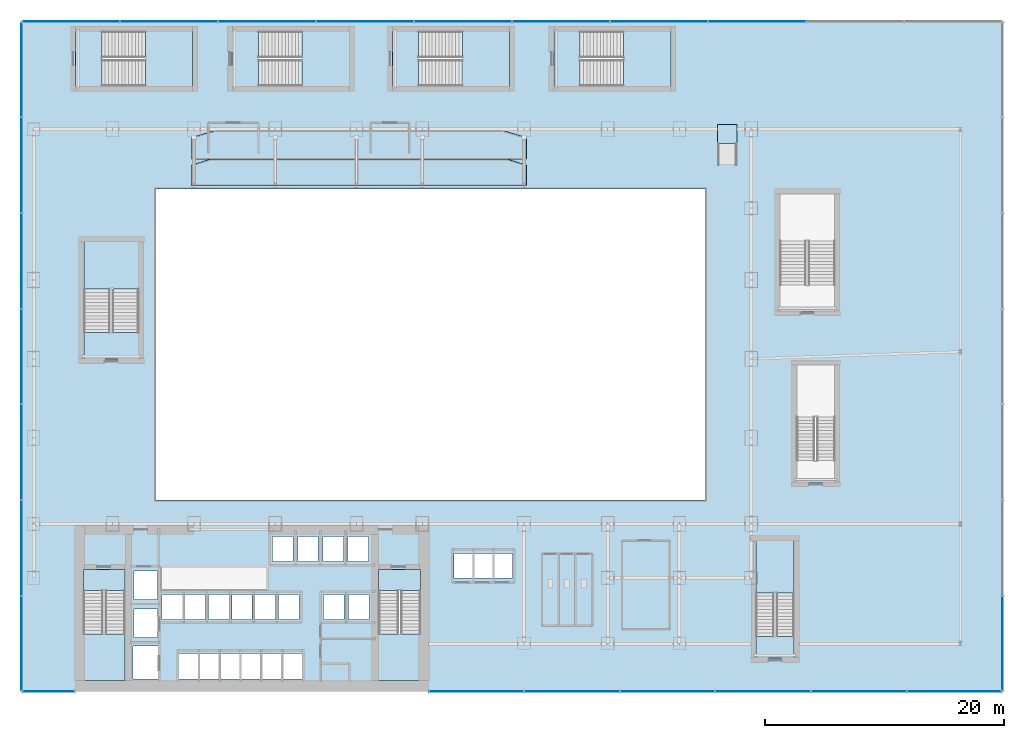
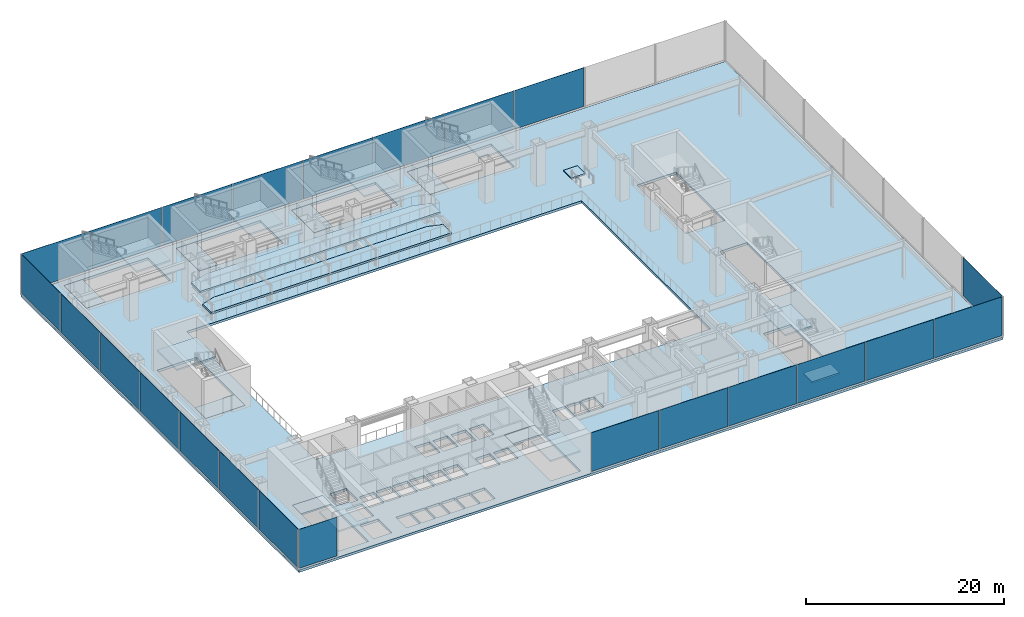
# One storey, part 27 of 39: 23 plates, 20 slabs, 14 elements without a shape of their own.
"""IFC4 building model written with IfcOpenShell, lengths in metres."""

import ifcopenshell
import ifcopenshell.guid

model = None  # the IFC model being written
_history = None  # IfcOwnerHistory: only IFC2X3 demands one
_inside = {}  # id of a spatial element -> (the spatial element, [elements in it])
_under = {}  # id of a project, library or spatial element -> (it, [spatial elements below it])
_declared = {}  # id of a project -> (the project, [libraries it declares])
_typed = {}  # id of a type object -> (the type object, [elements of that type])
_made_of = {}  # id of a material, layer set ... -> (it, [elements and type objects made of it])


def new_model(schema):
    """Start an empty IFC model of exactly this schema.

    Asked for "IFC4X3", IfcOpenShell would pick the latest addendum, in which some entities
    have other attributes; the version numbers below select the first issue.
    IFC2X3 requires an IfcOwnerHistory on every rooted entity: one is made here for all.
    """
    global model, _history
    if schema == "IFC4X3":
        model = ifcopenshell.file(schema_version=(4, 3, 0, 0))
    else:
        model = ifcopenshell.file(schema=schema)
    _inside.clear()
    _under.clear()
    _declared.clear()
    _typed.clear()
    _made_of.clear()
    _history = None
    if model.schema == "IFC2X3":
        org = make("IfcOrganization", Name="unknown")
        user = make(
            "IfcPersonAndOrganization",
            ThePerson=make("IfcPerson", FamilyName="unknown"),
            TheOrganization=org,
        )
        app = make(
            "IfcApplication",
            ApplicationDeveloper=org,
            Version="unknown",
            ApplicationFullName="unknown",
            ApplicationIdentifier="unknown",
        )
        _history = make(
            "IfcOwnerHistory",
            OwningUser=user,
            OwningApplication=app,
            ChangeAction="ADDED",
            CreationDate=0,
        )
    return model


def make(cls, **values):
    """One entity of the class cls with the attributes given. An attribute that is None is left unset."""
    return model.create_entity(
        cls, **{name: value for name, value in values.items() if value is not None}
    )


def rooted(cls, **values):
    """An entity with a GlobalId (a new one), such as an element, a storey or a relation."""
    return make(cls, GlobalId=ifcopenshell.guid.new(), OwnerHistory=_history, **values)


def si_unit(unit_type, name, prefix=None):
    """IfcSIUnit, for example si_unit("LENGTHUNIT", "METRE", prefix="MILLI")."""
    return make("IfcSIUnit", UnitType=unit_type, Prefix=prefix, Name=name)


def derived_unit(unit_type, elements):
    """IfcDerivedUnit: a product of units, each with its exponent."""
    return make(
        "IfcDerivedUnit",
        Elements=[
            make("IfcDerivedUnitElement", Unit=unit, Exponent=power)
            for unit, power in elements
        ],
        UnitType=unit_type,
    )


def assignment(units):
    """IfcUnitAssignment: the units of a project."""
    return None if units is None else make("IfcUnitAssignment", Units=units)


def point(xyz):
    """IfcCartesianPoint."""
    return None if xyz is None else make("IfcCartesianPoint", Coordinates=xyz)


def direction(xyz):
    """IfcDirection."""
    return None if xyz is None else make("IfcDirection", DirectionRatios=xyz)


def frame(location, z_axis=None, x_axis=None):
    """IfcAxis2Placement3D, a coordinate frame: its origin and axes. An axis left out is left unset."""
    return make(
        "IfcAxis2Placement3D",
        Location=point(location),
        Axis=direction(z_axis),
        RefDirection=direction(x_axis),
    )


def frame_2d(location, x_axis=None):
    """IfcAxis2Placement2D, a coordinate frame in the plane: its origin and x axis."""
    return make(
        "IfcAxis2Placement2D", Location=point(location), RefDirection=direction(x_axis)
    )


def origin():
    """The frame at (0, 0, 0) with its axes left unset."""
    return frame((0.0, 0.0, 0.0))


def origin_2d():
    """The frame at (0, 0) in the plane with its x axis left unset."""
    return frame_2d((0.0, 0.0))


def place(relative_to, where):
    """IfcLocalPlacement: puts the frame where relative to a parent placement (None: the world)."""
    return make(
        "IfcLocalPlacement", PlacementRelTo=relative_to, RelativePlacement=where
    )


def context(
    kind, dimensions, precision=None, world=None, true_north=None, identifier=None
):
    """IfcGeometricRepresentationContext, for example the 3D "Model" context."""
    return make(
        "IfcGeometricRepresentationContext",
        ContextIdentifier=identifier,
        ContextType=kind,
        CoordinateSpaceDimension=dimensions,
        Precision=precision,
        WorldCoordinateSystem=world,
        TrueNorth=true_north,
    )


def subcontext(parent, identifier, kind, view, scale=None):
    """IfcGeometricRepresentationSubContext, for example "Body" below "Model"."""
    return make(
        "IfcGeometricRepresentationSubContext",
        ContextIdentifier=identifier,
        ContextType=kind,
        ParentContext=parent,
        TargetScale=scale,
        TargetView=view,
    )


def project(units=None, contexts=None):
    """IfcProject with its units and contexts."""
    return rooted(
        "IfcProject",
        Name="project",
        RepresentationContexts=contexts,
        UnitsInContext=assignment(units),
    )


def spatial(cls, under=None, at=None, **own):
    """A site, building, storey or space (cls), placed at a placement, below another one or the project."""
    s = rooted(cls, ObjectPlacement=at, **own)
    if under is not None:
        _under.setdefault(under.id(), (under, []))[1].append(s)
    return s


def polyline(points):
    """IfcPolyline through the points."""
    return make("IfcPolyline", Points=[point(p) for p in points])


def profile(cls, at=None, kind="AREA", **sizes):
    """A parametric profile (cls). Its sizes go by their IFC names, for example OverallWidth=200.0."""
    return make(cls, ProfileType=kind, Position=at, **sizes)


def rectangle(**sizes):
    """IfcRectangleProfileDef."""
    return profile("IfcRectangleProfileDef", **sizes)


def outline(outer, holes=None, kind="AREA"):
    """IfcArbitraryClosedProfileDef: a profile drawn as a closed curve; with holes, ...WithVoids."""
    if holes is None:
        return make("IfcArbitraryClosedProfileDef", ProfileType=kind, OuterCurve=outer)
    return make(
        "IfcArbitraryProfileDefWithVoids",
        ProfileType=kind,
        OuterCurve=outer,
        InnerCurves=holes,
    )


def extrude(swept, where, along, depth):
    """IfcExtrudedAreaSolid: the profile swept, set in the frame where, extruded along a direction by depth."""
    return make(
        "IfcExtrudedAreaSolid",
        SweptArea=swept,
        Position=where,
        ExtrudedDirection=direction(along),
        Depth=depth,
    )


def shape(context_of_items, identifier, shape_type, items):
    """IfcShapeRepresentation: the items that make up one representation, for example the "Body"."""
    return make(
        "IfcShapeRepresentation",
        ContextOfItems=context_of_items,
        RepresentationIdentifier=identifier,
        RepresentationType=shape_type,
        Items=items,
    )


def source(mapping_origin, context_of_items, identifier, shape_type, items):
    """IfcRepresentationMap: a shape defined once, which mapped items show again and again."""
    return make(
        "IfcRepresentationMap",
        MappingOrigin=mapping_origin,
        MappedRepresentation=shape(context_of_items, identifier, shape_type, items),
    )


def transform(
    local_origin,
    x_axis=None,
    y_axis=None,
    z_axis=None,
    scale=None,
    scale2=None,
    scale3=None,
    uniform=True,
):
    """IfcCartesianTransformationOperator3D, or its non-uniform kind. x_axis, y_axis, z_axis: its Axis1, 2, 3."""
    if uniform:
        return make(
            "IfcCartesianTransformationOperator3D",
            Axis1=direction(x_axis),
            Axis2=direction(y_axis),
            LocalOrigin=point(local_origin),
            Scale=scale,
            Axis3=direction(z_axis),
        )
    return make(
        "IfcCartesianTransformationOperator3DnonUniform",
        Axis1=direction(x_axis),
        Axis2=direction(y_axis),
        LocalOrigin=point(local_origin),
        Scale=scale,
        Axis3=direction(z_axis),
        Scale2=scale2,
        Scale3=scale3,
    )


def mapped(mapping_source, mapping_target):
    """IfcMappedItem: shows the shape of a source again, moved by a transform."""
    return make(
        "IfcMappedItem", MappingSource=mapping_source, MappingTarget=mapping_target
    )


def material(Name=None, Category=None):
    """IfcMaterial."""
    return make("IfcMaterial", Name=Name, Category=Category)


def layer(
    of_material, thickness, ventilated=None, Name=None, Category=None, Priority=None
):
    """IfcMaterialLayer: one layer of a wall or slab, of a material (None: an air gap)."""
    return make(
        "IfcMaterialLayer",
        Material=of_material,
        LayerThickness=thickness,
        IsVentilated=ventilated,
        Name=Name,
        Category=Category,
        Priority=Priority,
    )


def layer_set(layers, Name=None):
    """IfcMaterialLayerSet."""
    return make("IfcMaterialLayerSet", MaterialLayers=layers, LayerSetName=Name)


def made_of(thing, what):
    """Note that an element or type object is made of a material, layer set ...; save() writes the relation."""
    if what is not None:
        _made_of.setdefault(what.id(), (what, []))[1].append(thing)
    return thing


def type_object(cls, material=None, **own):
    """A type object (cls), such as IfcWallType, which elements share."""
    return made_of(rooted(cls, **own), material)


def element(
    cls,
    number,
    at=None,
    inside=None,
    cuts=None,
    type_object=None,
    material=None,
    context=None,
    identifier="Body",
    shape_type=None,
    held_by="IfcProductDefinitionShape",
    body=None,
    shapes=None,
    **own,
):
    """One element of the class cls, such as IfcWall. Its Tag is "e" and its number.

    at: its placement. inside: the storey or other place that contains it. cuts: it is an
    opening in that element (IfcRelVoidsElement). A single representation is given by context,
    identifier, shape_type and body (its items); several are given by shapes. held_by: the class
    of the entity that holds the representations. save() writes the other relations.
    """
    e = rooted(cls, Tag="e%d" % number, ObjectPlacement=at, **own)
    if body is not None:
        shapes = [shape(context, identifier, shape_type, body)]
    if shapes is not None:
        e.Representation = make(held_by, Representations=shapes)
    if inside is not None:
        _inside.setdefault(inside.id(), (inside, []))[1].append(e)
    if cuts is not None:
        rooted(
            "IfcRelVoidsElement", RelatingBuildingElement=cuts, RelatedOpeningElement=e
        )
    if type_object is not None:
        _typed.setdefault(type_object.id(), (type_object, []))[1].append(e)
    return made_of(e, material)


def aggregate(whole, parts):
    """IfcRelAggregates: a whole, such as a stair, and the parts it consists of."""
    return rooted("IfcRelAggregates", RelatingObject=whole, RelatedObjects=parts)


def save(model, path):
    """Write the relations noted so far, then the file.

    IfcRelAggregates (storeys below a building ...), IfcRelContainedInSpatialStructure (elements
    in a storey), IfcRelDefinesByType, IfcRelAssociatesMaterial and IfcRelDeclares: one each for
    every whole, place, type object, material and project.
    """
    for whole, parts in _under.values():
        aggregate(whole, parts)
    for where, things in _inside.values():
        rooted(
            "IfcRelContainedInSpatialStructure",
            RelatedElements=things,
            RelatingStructure=where,
        )
    for kind, things in _typed.values():
        rooted("IfcRelDefinesByType", RelatedObjects=things, RelatingType=kind)
    for what, things in _made_of.values():
        rooted("IfcRelAssociatesMaterial", RelatedObjects=things, RelatingMaterial=what)
    for by, libraries in _declared.values():
        rooted("IfcRelDeclares", RelatingContext=by, RelatedDefinitions=libraries)
    model.write(path)


model = new_model("IFC4")

# Units and contexts
model_context = context("Model", 3, precision=1e-05, world=origin(), true_north=direction((0.0, 1.0)))
body_context = subcontext(model_context, "Body", "Model", "MODEL_VIEW")
ifc_project = project(units=[si_unit("LENGTHUNIT", "METRE"), si_unit("AREAUNIT", "SQUARE_METRE"), si_unit("VOLUMEUNIT", "CUBIC_METRE"), si_unit("PLANEANGLEUNIT", "RADIAN"), si_unit("MASSUNIT", "GRAM", prefix="KILO"), derived_unit("THERMALTRANSMITTANCEUNIT", [(si_unit("POWERUNIT", "WATT"), 1), (si_unit("LENGTHUNIT", "METRE"), -2), (si_unit("THERMODYNAMICTEMPERATUREUNIT", "KELVIN"), -1)])], contexts=[model_context])

# Site, building, storey
site_placement = place(None, origin())
site = spatial("IfcSite", under=ifc_project, at=site_placement, CompositionType="ELEMENT")
building_placement = place(site_placement, origin())
building = spatial("IfcBuilding", under=site, at=building_placement, Name="Skarnbrae Concourse Arena and Tower", CompositionType="ELEMENT")
storey_placement = place(building_placement, frame((0.0, 0.0, 16.0)))
storey = spatial("IfcBuildingStorey", under=building, at=storey_placement, Name="L03", CompositionType="ELEMENT", Elevation=16.0)

# Stair, slab
ifc_material_1 = material(Name="Concrete 40 MPa (C40/50)", Category="concrete")
stair_type_1 = type_object("IfcStairType", Name="STAIR-DOGLEG-1650", PredefinedType="HALF_TURN_STAIR", material=ifc_material_1)
stair_1_placement = place(storey_placement, origin())
stair_1 = element("IfcStair", 1, at=stair_1_placement, inside=storey, type_object=stair_type_1, Name="L03 Protected Exit Stair ST-1", PredefinedType="HALF_TURN_STAIR")
ifc_layer_1 = layer(ifc_material_1, 0.199951171875)
ifc_layer_set_1 = layer_set([ifc_layer_1], Name="Concrete 40 MPa (C40/50)")
slab_type_1 = type_object("IfcSlabType", Name="SLAB-LANDING-200", PredefinedType="LANDING", material=ifc_layer_set_1)
slab_1_placement = place(storey_placement, frame((0.0, 0.0, 2.300048828125)))
slab_1 = element("IfcSlab", 2, at=slab_1_placement, type_object=slab_type_1, Name="ST-1 landing 1", PredefinedType="LANDING", context=body_context, shape_type="SweptSolid", body=[
    extrude(outline(polyline([(5.14990234375, 4.81005859375), (5.14990234375, 0.89990234375), (8.64990234375, 0.89990234375), (8.64990234375, 4.81005859375), (5.14990234375, 4.81005859375)])), origin(), (0.0, 0.0, 1.0), 0.199951171875),
])
aggregate(stair_1, [slab_1])

stair_2_placement = place(storey_placement, origin())
stair_2 = element("IfcStair", 3, at=stair_2_placement, inside=storey, type_object=stair_type_1, Name="L03 Protected Exit Stair ST-2", PredefinedType="HALF_TURN_STAIR")
slab_2_placement = place(storey_placement, frame((0.0, 0.0, 2.300048828125)))
slab_2 = element("IfcSlab", 4, at=slab_2_placement, type_object=slab_type_1, Name="ST-2 landing 1", PredefinedType="LANDING", context=body_context, shape_type="SweptSolid", body=[
    extrude(outline(polyline([(29.85009765625, 4.81005859375), (29.85009765625, 0.89990234375), (33.35009765625, 0.89990234375), (33.35009765625, 4.81005859375), (29.85009765625, 4.81005859375)])), origin(), (0.0, 0.0, 1.0), 0.199951171875),
])
aggregate(stair_2, [slab_2])

# Slabs
slab_3_placement = place(storey_placement, frame((0.0, 0.0, -0.199951171875)))
element("IfcSlab", 5, at=slab_3_placement, inside=storey, type_object=slab_type_1, Name="L03 Core stair ST1 floor landing", PredefinedType="LANDING", context=body_context, shape_type="SweptSolid", body=[
    extrude(outline(polyline([(5.14990234375, 10.199951171875), (5.14990234375, 8.449951171875), (8.64990234375, 8.449951171875), (8.64990234375, 10.199951171875), (5.14990234375, 10.199951171875)])), origin(), (0.0, 0.0, 1.0), 0.199951171875),
])
slab_4_placement = place(storey_placement, frame((0.0, 0.0, -0.199951171875)))
element("IfcSlab", 6, at=slab_4_placement, inside=storey, type_object=slab_type_1, Name="L03 Core stair ST2 floor landing", PredefinedType="LANDING", context=body_context, shape_type="SweptSolid", body=[
    extrude(outline(polyline([(29.85009765625, 10.199951171875), (29.85009765625, 8.449951171875), (33.35009765625, 8.449951171875), (33.35009765625, 10.199951171875), (29.85009765625, 10.199951171875)])), origin(), (0.0, 0.0, 1.0), 0.199951171875),
])
slab_5_placement = place(storey_placement, frame((0.0, 0.0, -0.199951171875)))
element("IfcSlab", 7, at=slab_5_placement, inside=storey, type_object=slab_type_1, Name="L03 Stair ST-A1 near floor landing", PredefinedType="LANDING", context=body_context, shape_type="SweptSolid", body=[
    extrude(outline(polyline([(64.60009765625, 2.800048828125), (64.60009765625, 4.60009765625), (61.39990234375, 4.60009765625), (61.39990234375, 2.800048828125), (64.60009765625, 2.800048828125)])), origin(), (0.0, 0.0, 1.0), 0.199951171875),
])

# Stair, slab
stair_type_2 = type_object("IfcStairType", Name="STAIR-DOGLEG-1500", PredefinedType="HALF_TURN_STAIR", material=ifc_material_1)
stair_3_placement = place(storey_placement, origin())
stair_3 = element("IfcStair", 8, at=stair_3_placement, inside=storey, type_object=stair_type_2, Name="L03 Arena Exit Stair ST-A1", PredefinedType="HALF_TURN_STAIR")
slab_6_placement = place(storey_placement, frame((0.0, 0.0, 2.300048828125)))
slab_6 = element("IfcSlab", 9, at=slab_6_placement, type_object=slab_type_1, Name="ST-A1 landing 1", PredefinedType="LANDING", context=body_context, shape_type="SweptSolid", body=[
    extrude(outline(polyline([(64.60009765625, 8.239990234375), (64.60009765625, 12.60009765625), (61.39990234375, 12.60009765625), (61.39990234375, 8.239990234375), (64.60009765625, 8.239990234375)])), origin(), (0.0, 0.0, 1.0), 0.199951171875),
])
aggregate(stair_3, [slab_6])

# Slab
slab_7_placement = place(storey_placement, frame((0.0, 0.0, -0.199951171875)))
element("IfcSlab", 10, at=slab_7_placement, inside=storey, type_object=slab_type_1, Name="L03 Stair ST-A3 near floor landing", PredefinedType="LANDING", context=body_context, shape_type="SweptSolid", body=[
    extrude(outline(polyline([(9.800048828125, 27.800048828125), (9.800048828125, 30.0), (5.199951171875, 30.0), (5.199951171875, 27.800048828125), (9.800048828125, 27.800048828125)])), origin(), (0.0, 0.0, 1.0), 0.199951171875),
])

# Stair, slab
stair_type_3 = type_object("IfcStairType", Name="STAIR-DOGLEG-2200", PredefinedType="HALF_TURN_STAIR", material=ifc_material_1)
stair_4_placement = place(storey_placement, origin())
stair_4 = element("IfcStair", 11, at=stair_4_placement, inside=storey, type_object=stair_type_3, Name="L03 Arena Exit Stair ST-A3", PredefinedType="HALF_TURN_STAIR")
slab_8_placement = place(storey_placement, frame((0.0, 0.0, 2.300048828125)))
slab_8 = element("IfcSlab", 12, at=slab_8_placement, type_object=slab_type_1, Name="ST-A3 landing 1", PredefinedType="LANDING", context=body_context, shape_type="SweptSolid", body=[
    extrude(outline(polyline([(9.800048828125, 33.639892578125), (9.800048828125, 37.60009765625), (5.199951171875, 37.60009765625), (5.199951171875, 33.639892578125), (9.800048828125, 33.639892578125)])), origin(), (0.0, 0.0, 1.0), 0.199951171875),
])
aggregate(stair_4, [slab_8])

# Slab
slab_9_placement = place(storey_placement, frame((0.0, 0.0, -0.199951171875)))
element("IfcSlab", 13, at=slab_9_placement, inside=storey, type_object=slab_type_1, Name="L03 Stair ST-A5 near floor landing", PredefinedType="LANDING", context=body_context, shape_type="SweptSolid", body=[
    extrude(outline(polyline([(4.5, 50.60009765625), (6.699951171875, 50.60009765625), (6.699951171875, 55.199951171875), (4.5, 55.199951171875), (4.5, 50.60009765625)])), origin(), (0.0, 0.0, 1.0), 0.199951171875),
])

# Stair, slab
stair_5_placement = place(storey_placement, origin())
stair_5 = element("IfcStair", 14, at=stair_5_placement, inside=storey, type_object=stair_type_3, Name="L03 Arena Exit Stair ST-A5", PredefinedType="HALF_TURN_STAIR")
slab_10_placement = place(storey_placement, frame((0.0, 0.0, 2.300048828125)))
slab_10 = element("IfcSlab", 15, at=slab_10_placement, type_object=slab_type_1, Name="ST-A5 landing 1", PredefinedType="LANDING", context=body_context, shape_type="SweptSolid", body=[
    extrude(outline(polyline([(10.340087890625, 50.60009765625), (14.300048828125, 50.60009765625), (14.300048828125, 55.199951171875), (10.340087890625, 55.199951171875), (10.340087890625, 50.60009765625)])), origin(), (0.0, 0.0, 1.0), 0.199951171875),
])
aggregate(stair_5, [slab_10])

# Slab
slab_11_placement = place(storey_placement, frame((0.0, 0.0, -0.199951171875)))
element("IfcSlab", 16, at=slab_11_placement, inside=storey, type_object=slab_type_1, Name="L03 Stair ST-A6 near floor landing", PredefinedType="LANDING", context=body_context, shape_type="SweptSolid", body=[
    extrude(outline(polyline([(17.60009765625, 50.60009765625), (19.800048828125, 50.60009765625), (19.800048828125, 55.199951171875), (17.60009765625, 55.199951171875), (17.60009765625, 50.60009765625)])), origin(), (0.0, 0.0, 1.0), 0.199951171875),
])

# Stair, slab
stair_6_placement = place(storey_placement, origin())
stair_6 = element("IfcStair", 17, at=stair_6_placement, inside=storey, type_object=stair_type_3, Name="L03 Arena Exit Stair ST-A6", PredefinedType="HALF_TURN_STAIR")
slab_12_placement = place(storey_placement, frame((0.0, 0.0, 2.300048828125)))
slab_12 = element("IfcSlab", 18, at=slab_12_placement, type_object=slab_type_1, Name="ST-A6 landing 1", PredefinedType="LANDING", context=body_context, shape_type="SweptSolid", body=[
    extrude(outline(polyline([(23.43994140625, 50.60009765625), (27.39990234375, 50.60009765625), (27.39990234375, 55.199951171875), (23.43994140625, 55.199951171875), (23.43994140625, 50.60009765625)])), origin(), (0.0, 0.0, 1.0), 0.199951171875),
])
aggregate(stair_6, [slab_12])

# Slab
slab_13_placement = place(storey_placement, frame((0.0, 0.0, -0.199951171875)))
element("IfcSlab", 19, at=slab_13_placement, inside=storey, type_object=slab_type_1, Name="L03 Stair ST-A7 near floor landing", PredefinedType="LANDING", context=body_context, shape_type="SweptSolid", body=[
    extrude(outline(polyline([(31.0, 50.60009765625), (33.199951171875, 50.60009765625), (33.199951171875, 55.199951171875), (31.0, 55.199951171875), (31.0, 50.60009765625)])), origin(), (0.0, 0.0, 1.0), 0.199951171875),
])

# Stair, slab
stair_7_placement = place(storey_placement, origin())
stair_7 = element("IfcStair", 20, at=stair_7_placement, inside=storey, type_object=stair_type_3, Name="L03 Arena Exit Stair ST-A7", PredefinedType="HALF_TURN_STAIR")
slab_14_placement = place(storey_placement, frame((0.0, 0.0, 2.300048828125)))
slab_14 = element("IfcSlab", 21, at=slab_14_placement, type_object=slab_type_1, Name="ST-A7 landing 1", PredefinedType="LANDING", context=body_context, shape_type="SweptSolid", body=[
    extrude(outline(polyline([(36.840087890625, 50.60009765625), (40.800048828125, 50.60009765625), (40.800048828125, 55.199951171875), (36.840087890625, 55.199951171875), (36.840087890625, 50.60009765625)])), origin(), (0.0, 0.0, 1.0), 0.199951171875),
])
aggregate(stair_7, [slab_14])

# Slab
slab_15_placement = place(storey_placement, frame((0.0, 0.0, -0.199951171875)))
element("IfcSlab", 22, at=slab_15_placement, inside=storey, type_object=slab_type_1, Name="L03 Stair ST-A8 near floor landing", PredefinedType="LANDING", context=body_context, shape_type="SweptSolid", body=[
    extrude(outline(polyline([(44.5, 50.60009765625), (46.699951171875, 50.60009765625), (46.699951171875, 55.199951171875), (44.5, 55.199951171875), (44.5, 50.60009765625)])), origin(), (0.0, 0.0, 1.0), 0.199951171875),
])

# Stair, slab
stair_8_placement = place(storey_placement, origin())
stair_8 = element("IfcStair", 23, at=stair_8_placement, inside=storey, type_object=stair_type_3, Name="L03 Arena Exit Stair ST-A8", PredefinedType="HALF_TURN_STAIR")
slab_16_placement = place(storey_placement, frame((0.0, 0.0, 2.300048828125)))
slab_16 = element("IfcSlab", 24, at=slab_16_placement, type_object=slab_type_1, Name="ST-A8 landing 1", PredefinedType="LANDING", context=body_context, shape_type="SweptSolid", body=[
    extrude(outline(polyline([(50.340087890625, 50.60009765625), (54.300048828125, 50.60009765625), (54.300048828125, 55.199951171875), (50.340087890625, 55.199951171875), (50.340087890625, 50.60009765625)])), origin(), (0.0, 0.0, 1.0), 0.199951171875),
])
aggregate(stair_8, [slab_16])

# Ramp, slab
ramp_type = type_object("IfcRampType", Name="RAMP-ACC-1600", PredefinedType="STRAIGHT_RUN_RAMP", material=ifc_material_1)
ramp_placement = place(storey_placement, origin())
ramp = element("IfcRamp", 25, at=ramp_placement, inside=storey, type_object=ramp_type, Name="L03 Barrier-free accessible ramp R-A04", PredefinedType="STRAIGHT_RUN_RAMP")
slab_17_placement = place(storey_placement, origin())
slab_17 = element("IfcSlab", 26, at=slab_17_placement, type_object=slab_type_1, Name="L03 Accessible ramp top landing", PredefinedType="LANDING", context=body_context, shape_type="SweptSolid", body=[
    extrude(outline(polyline([(58.199951171875, 45.800048828125), (59.800048828125, 45.800048828125), (59.800048828125, 47.39990234375), (58.199951171875, 47.39990234375), (58.199951171875, 45.800048828125)])), origin(), (0.0, 0.0, 1.0), 0.139892578125),
])
aggregate(ramp, [slab_17])

# Slabs
ifc_layer_2 = layer(ifc_material_1, 0.300048828125)
ifc_layer_set_2 = layer_set([ifc_layer_2], Name="Concrete 40 MPa (C40/50)")
slab_type_2 = type_object("IfcSlabType", Name="SLAB-PODIUM-300", PredefinedType="FLOOR", material=ifc_layer_set_2)
slab_18_placement = place(storey_placement, frame((0.0, 0.0, -0.300048828125)))
element("IfcSlab", 27, at=slab_18_placement, inside=storey, type_object=slab_type_2, Name="L03 Structural floor slab", PredefinedType="FLOOR", context=body_context, shape_type="SweptSolid", body=[
    extrude(outline(polyline([(0.0, 0.0), (82.0, 0.0), (82.0, 56.0), (0.0, 56.0), (0.0, 0.0)]), holes=[polyline([(21.715087890625, 3.155029296875), (21.715087890625, 1.044921875), (20.10498046875, 1.044921875), (20.10498046875, 3.155029296875), (21.715087890625, 3.155029296875)]), polyline([(19.97509765625, 3.155029296875), (19.97509765625, 1.044921875), (18.364990234375, 1.044921875), (18.364990234375, 3.155029296875), (19.97509765625, 3.155029296875)]), polyline([(14.7548828125, 3.155029296875), (14.7548828125, 1.044921875), (13.14501953125, 1.044921875), (13.14501953125, 3.155029296875), (14.7548828125, 3.155029296875)]), polyline([(16.4951171875, 3.155029296875), (16.4951171875, 1.044921875), (14.885009765625, 1.044921875), (14.885009765625, 3.155029296875), (16.4951171875, 3.155029296875)]), polyline([(18.235107421875, 3.155029296875), (18.235107421875, 1.044921875), (16.625, 1.044921875), (16.625, 3.155029296875), (18.235107421875, 3.155029296875)]), polyline([(11.455078125, 3.780029296875), (11.455078125, 1.02001953125), (9.294921875, 1.02001953125), (9.294921875, 3.780029296875), (11.455078125, 3.780029296875)]), polyline([(8.64990234375, 0.89990234375), (5.14990234375, 0.89990234375), (5.14990234375, 10.199951171875), (8.64990234375, 10.199951171875), (8.64990234375, 0.89990234375)]), polyline([(11.35498046875, 6.8798828125), (11.35498046875, 4.52001953125), (9.39501953125, 4.52001953125), (9.39501953125, 6.8798828125), (11.35498046875, 6.8798828125)]), polyline([(23.179931640625, 8.10498046875), (23.179931640625, 5.9951171875), (21.469970703125, 5.9951171875), (21.469970703125, 8.10498046875), (23.179931640625, 8.10498046875)]), polyline([(21.22998046875, 8.10498046875), (21.22998046875, 5.9951171875), (19.52001953125, 5.9951171875), (19.52001953125, 8.10498046875), (21.22998046875, 8.10498046875)]), polyline([(19.280029296875, 8.10498046875), (19.280029296875, 5.9951171875), (17.570068359375, 5.9951171875), (17.570068359375, 8.10498046875), (19.280029296875, 8.10498046875)]), polyline([(17.330078125, 8.10498046875), (17.330078125, 5.9951171875), (15.6201171875, 5.9951171875), (15.6201171875, 8.10498046875), (17.330078125, 8.10498046875)]), polyline([(15.3798828125, 8.10498046875), (15.3798828125, 5.9951171875), (13.669921875, 5.9951171875), (13.669921875, 8.10498046875), (15.3798828125, 8.10498046875)]), polyline([(13.429931640625, 8.10498046875), (13.429931640625, 5.9951171875), (11.719970703125, 5.9951171875), (11.719970703125, 8.10498046875), (13.429931640625, 8.10498046875)]), polyline([(11.35498046875, 10.054931640625), (11.35498046875, 7.695068359375), (9.39501953125, 7.695068359375), (9.39501953125, 10.054931640625), (11.35498046875, 10.054931640625)]), polyline([(22.695068359375, 10.844970703125), (20.985107421875, 10.844970703125), (20.985107421875, 12.955078125), (22.695068359375, 12.955078125), (22.695068359375, 10.844970703125)]), polyline([(9.800048828125, 37.60009765625), (9.800048828125, 27.800048828125), (5.199951171875, 27.800048828125), (5.199951171875, 37.60009765625), (9.800048828125, 37.60009765625)]), polyline([(14.300048828125, 55.199951171875), (14.300048828125, 50.60009765625), (4.5, 50.60009765625), (4.5, 55.199951171875), (14.300048828125, 55.199951171875)]), polyline([(23.455078125, 3.155029296875), (23.455078125, 1.044921875), (21.844970703125, 1.044921875), (21.844970703125, 3.155029296875), (23.455078125, 3.155029296875)]), polyline([(33.35009765625, 0.89990234375), (29.85009765625, 0.89990234375), (29.85009765625, 10.199951171875), (33.35009765625, 10.199951171875), (33.35009765625, 0.89990234375)]), polyline([(26.945068359375, 8.10498046875), (26.945068359375, 5.9951171875), (25.235107421875, 5.9951171875), (25.235107421875, 8.10498046875), (26.945068359375, 8.10498046875)]), polyline([(29.044921875, 8.10498046875), (29.044921875, 5.9951171875), (27.3349609375, 5.9951171875), (27.3349609375, 8.10498046875), (29.044921875, 8.10498046875)]), polyline([(61.39990234375, 12.60009765625), (64.60009765625, 12.60009765625), (64.60009765625, 2.800048828125), (61.39990234375, 2.800048828125), (61.39990234375, 12.60009765625)]), polyline([(41.0400390625, 11.530029296875), (41.0400390625, 9.469970703125), (39.52001953125, 9.469970703125), (39.52001953125, 11.530029296875), (41.0400390625, 11.530029296875)]), polyline([(37.679931640625, 9.469970703125), (36.159912109375, 9.469970703125), (36.159912109375, 11.530029296875), (37.679931640625, 11.530029296875), (37.679931640625, 9.469970703125)]), polyline([(39.360107421875, 9.469970703125), (37.840087890625, 9.469970703125), (37.840087890625, 11.530029296875), (39.360107421875, 11.530029296875), (39.360107421875, 9.469970703125)]), polyline([(24.794921875, 12.955078125), (24.794921875, 10.844970703125), (23.0849609375, 10.844970703125), (23.0849609375, 12.955078125), (24.794921875, 12.955078125)]), polyline([(26.89501953125, 12.955078125), (26.89501953125, 10.844970703125), (25.18505859375, 10.844970703125), (25.18505859375, 12.955078125), (26.89501953125, 12.955078125)]), polyline([(28.9951171875, 12.955078125), (28.9951171875, 10.844970703125), (27.284912109375, 10.844970703125), (27.284912109375, 12.955078125), (28.9951171875, 12.955078125)]), polyline([(64.800048828125, 27.300048828125), (68.0, 27.300048828125), (68.0, 17.5), (64.800048828125, 17.5), (64.800048828125, 27.300048828125)]), polyline([(57.199951171875, 42.0), (57.199951171875, 16.0), (11.199951171875, 16.0), (11.199951171875, 42.0), (57.199951171875, 42.0)]), polyline([(63.39990234375, 41.60009765625), (68.0, 41.60009765625), (68.0, 31.800048828125), (63.39990234375, 31.800048828125), (63.39990234375, 41.60009765625)]), polyline([(40.800048828125, 55.199951171875), (40.800048828125, 50.60009765625), (31.0, 50.60009765625), (31.0, 55.199951171875), (40.800048828125, 55.199951171875)]), polyline([(54.300048828125, 50.60009765625), (44.5, 50.60009765625), (44.5, 55.199951171875), (54.300048828125, 55.199951171875), (54.300048828125, 50.60009765625)]), polyline([(27.39990234375, 50.60009765625), (17.60009765625, 50.60009765625), (17.60009765625, 55.199951171875), (27.39990234375, 55.199951171875), (27.39990234375, 50.60009765625)])]), origin(), (0.0, 0.0, 1.0), 0.300048828125),
])
ifc_layer_3 = layer(ifc_material_1, 0.219970703125)
ifc_layer_set_3 = layer_set([ifc_layer_3], Name="Concrete 40 MPa (C40/50)")
slab_type_3 = type_object("IfcSlabType", Name="SLAB-SEATING-TIER-220", PredefinedType="USERDEFINED", material=ifc_layer_set_3)
slab_19_placement = place(storey_placement, frame((0.0, 0.0, 0.89990234375)))
element("IfcSlab", 28, at=slab_19_placement, inside=storey, type_object=slab_type_3, Name="L03 Arena seating tier lower terrace", ObjectType="SEATING TIER", PredefinedType="USERDEFINED", context=body_context, shape_type="SweptSolid", body=[
    extrude(outline(polyline([(14.199951171875, 42.300048828125), (42.199951171875, 42.300048828125), (42.199951171875, 44.0), (40.60009765625, 44.5), (15.800048828125, 44.5), (14.199951171875, 44.0), (14.199951171875, 42.300048828125)])), origin(), (0.0, 0.0, 1.0), 0.22021484375),
])
slab_20_placement = place(storey_placement, frame((0.0, 0.0, 2.14990234375)))
element("IfcSlab", 29, at=slab_20_placement, inside=storey, type_object=slab_type_3, Name="L03 Arena seating tier upper terrace", ObjectType="SEATING TIER", PredefinedType="USERDEFINED", context=body_context, shape_type="SweptSolid", body=[
    extrude(outline(polyline([(14.199951171875, 44.5), (42.199951171875, 44.5), (42.199951171875, 46.300048828125), (40.199951171875, 46.89990234375), (16.199951171875, 46.89990234375), (14.199951171875, 46.300048828125), (14.199951171875, 44.5)])), origin(), (0.0, 0.0, 1.0), 0.22021484375),
])

# Curtain wall, plates
ifc_material_2 = material(Name="Bronze anodised aluminium 6063-T6", Category="aluminium")
curtain_wall_type = type_object("IfcCurtainWallType", Name="CW-SYS-01-PODIUM", PredefinedType="USERDEFINED", material=ifc_material_2)
curtain_wall_1_placement = place(storey_placement, origin())
curtain_wall_1 = element("IfcCurtainWall", 30, at=curtain_wall_1_placement, inside=storey, type_object=curtain_wall_type, Name="L03 Unitised curtain wall CW-L03-SE", ObjectType="UNITISED CURTAIN WALL", PredefinedType="USERDEFINED")
ifc_material_3 = material(Name="Low-E triple insulating glass", Category="glass")
ifc_layer_4 = layer(ifc_material_3, 0.035888671875)
ifc_layer_set_4 = layer_set([ifc_layer_4], Name="Low-E triple insulating glass")
plate_type = type_object("IfcPlateType", Name="CWP-CW-01", PredefinedType="CURTAIN_PANEL", material=ifc_layer_set_4)
shared_shape_1 = source(origin(), body_context, "Body", "SweptSolid", [
    extrude(rectangle(XDim=7.87255859375, YDim=0.035888671875, at=origin_2d()), origin(), (0.0, 0.0, 1.0), 4.780029296875),
])
plate_1_placement = place(storey_placement, frame((38.021240234375, 0.0, 0.22021484375), z_axis=(0.0, 0.0, 1.0), x_axis=(1.0, 0.0, 0.0)))
plate_1 = element("IfcPlate", 31, at=plate_1_placement, type_object=plate_type, Name="CW-L03-SE Low-E Glazing Panel 1", PredefinedType="CURTAIN_PANEL", context=body_context, shape_type="MappedRepresentation", body=[
    mapped(shared_shape_1, transform((0.0, 0.0, 0.0))),
])
plate_2_placement = place(storey_placement, frame((77.978759765625, 0.0, 0.22021484375), z_axis=(0.0, 0.0, 1.0), x_axis=(1.0, 0.0, 0.0)))
plate_2 = element("IfcPlate", 32, at=plate_2_placement, type_object=plate_type, Name="CW-L03-SE Low-E Glazing Panel 6", PredefinedType="CURTAIN_PANEL", context=body_context, shape_type="MappedRepresentation", body=[
    mapped(shared_shape_1, transform((0.0, 0.0, 0.0))),
])

# Curtain wall, plate
curtain_wall_2_placement = place(storey_placement, origin())
curtain_wall_2 = element("IfcCurtainWall", 33, at=curtain_wall_2_placement, inside=storey, type_object=curtain_wall_type, Name="L03 Unitised curtain wall CW-L03-E", ObjectType="UNITISED CURTAIN WALL", PredefinedType="USERDEFINED")
plate_3_placement = place(storey_placement, frame((82.0, 4.021240234375, 0.22021484375), z_axis=(0.0, 0.0, 1.0), x_axis=(0.0, 1.0, 0.0)))
plate_3 = element("IfcPlate", 34, at=plate_3_placement, type_object=plate_type, Name="CW-L03-E Low-E Glazing Panel 1", PredefinedType="CURTAIN_PANEL", context=body_context, shape_type="MappedRepresentation", body=[
    mapped(shared_shape_1, transform((0.0, 0.0, 0.0))),
])
aggregate(curtain_wall_2, [plate_3])

# Curtain wall, plates
curtain_wall_3_placement = place(storey_placement, origin())
curtain_wall_3 = element("IfcCurtainWall", 35, at=curtain_wall_3_placement, inside=storey, type_object=curtain_wall_type, Name="L03 Unitised curtain wall CW-L03-W", ObjectType="UNITISED CURTAIN WALL", PredefinedType="USERDEFINED")
plate_4_placement = place(storey_placement, frame((0.0, 51.978759765625, 0.22021484375), z_axis=(0.0, 0.0, 1.0), x_axis=(0.0, -1.0, 0.0)))
plate_4 = element("IfcPlate", 36, at=plate_4_placement, type_object=plate_type, Name="CW-L03-W Low-E Glazing Panel 1", PredefinedType="CURTAIN_PANEL", context=body_context, shape_type="MappedRepresentation", body=[
    mapped(shared_shape_1, transform((0.0, 0.0, 0.0))),
])
plate_5_placement = place(storey_placement, frame((0.0, 4.021240234375, 0.22021484375), z_axis=(0.0, 0.0, 1.0), x_axis=(0.0, -1.0, 0.0)))
plate_5 = element("IfcPlate", 37, at=plate_5_placement, type_object=plate_type, Name="CW-L03-W Low-E Glazing Panel 7", PredefinedType="CURTAIN_PANEL", context=body_context, shape_type="MappedRepresentation", body=[
    mapped(shared_shape_1, transform((0.0, 0.0, 0.0))),
])

# Plate
shared_shape_2 = source(origin(), body_context, "Body", "SweptSolid", [
    extrude(rectangle(XDim=7.9150390625, YDim=0.035888671875, at=origin_2d()), origin(), (0.0, 0.0, 1.0), 4.780029296875),
])
plate_6_placement = place(storey_placement, frame((46.0, 0.0, 0.22021484375), z_axis=(0.0, 0.0, 1.0), x_axis=(1.0, 0.0, 0.0)))
plate_6 = element("IfcPlate", 38, at=plate_6_placement, type_object=plate_type, Name="CW-L03-SE Low-E Glazing Panel 2", PredefinedType="CURTAIN_PANEL", context=body_context, shape_type="MappedRepresentation", body=[
    mapped(shared_shape_2, transform((0.0, 0.0, 0.0))),
])

plate_7_placement = place(storey_placement, frame((54.0, 0.0, 0.22021484375), z_axis=(0.0, 0.0, 1.0), x_axis=(1.0, 0.0, 0.0)))
plate_7 = element("IfcPlate", 39, at=plate_7_placement, type_object=plate_type, Name="CW-L03-SE Low-E Glazing Panel 3", PredefinedType="CURTAIN_PANEL", context=body_context, shape_type="MappedRepresentation", body=[
    mapped(shared_shape_2, transform((0.0, 0.0, 0.0))),
])

plate_8_placement = place(storey_placement, frame((62.0, 0.0, 0.22021484375), z_axis=(0.0, 0.0, 1.0), x_axis=(1.0, 0.0, 0.0)))
plate_8 = element("IfcPlate", 40, at=plate_8_placement, type_object=plate_type, Name="CW-L03-SE Low-E Glazing Panel 4", PredefinedType="CURTAIN_PANEL", context=body_context, shape_type="MappedRepresentation", body=[
    mapped(shared_shape_2, transform((0.0, 0.0, 0.0))),
])

plate_9_placement = place(storey_placement, frame((70.0, 0.0, 0.22021484375), z_axis=(0.0, 0.0, 1.0), x_axis=(1.0, 0.0, 0.0)))
plate_9 = element("IfcPlate", 41, at=plate_9_placement, type_object=plate_type, Name="CW-L03-SE Low-E Glazing Panel 5", PredefinedType="CURTAIN_PANEL", context=body_context, shape_type="MappedRepresentation", body=[
    mapped(shared_shape_2, transform((0.0, 0.0, 0.0))),
])

aggregate(curtain_wall_1, [plate_1, plate_6, plate_7, plate_8, plate_9, plate_2])

plate_10_placement = place(storey_placement, frame((0.0, 44.0, 0.22021484375), z_axis=(0.0, 0.0, 1.0), x_axis=(0.0, -1.0, 0.0)))
plate_10 = element("IfcPlate", 42, at=plate_10_placement, type_object=plate_type, Name="CW-L03-W Low-E Glazing Panel 2", PredefinedType="CURTAIN_PANEL", context=body_context, shape_type="MappedRepresentation", body=[
    mapped(shared_shape_2, transform((0.0, 0.0, 0.0))),
])

plate_11_placement = place(storey_placement, frame((0.0, 36.0, 0.22021484375), z_axis=(0.0, 0.0, 1.0), x_axis=(0.0, -1.0, 0.0)))
plate_11 = element("IfcPlate", 43, at=plate_11_placement, type_object=plate_type, Name="CW-L03-W Low-E Glazing Panel 3", PredefinedType="CURTAIN_PANEL", context=body_context, shape_type="MappedRepresentation", body=[
    mapped(shared_shape_2, transform((0.0, 0.0, 0.0))),
])

plate_12_placement = place(storey_placement, frame((0.0, 28.0, 0.22021484375), z_axis=(0.0, 0.0, 1.0), x_axis=(0.0, -1.0, 0.0)))
plate_12 = element("IfcPlate", 44, at=plate_12_placement, type_object=plate_type, Name="CW-L03-W Low-E Glazing Panel 4", PredefinedType="CURTAIN_PANEL", context=body_context, shape_type="MappedRepresentation", body=[
    mapped(shared_shape_2, transform((0.0, 0.0, 0.0))),
])

plate_13_placement = place(storey_placement, frame((0.0, 20.0, 0.22021484375), z_axis=(0.0, 0.0, 1.0), x_axis=(0.0, -1.0, 0.0)))
plate_13 = element("IfcPlate", 45, at=plate_13_placement, type_object=plate_type, Name="CW-L03-W Low-E Glazing Panel 5", PredefinedType="CURTAIN_PANEL", context=body_context, shape_type="MappedRepresentation", body=[
    mapped(shared_shape_2, transform((0.0, 0.0, 0.0))),
])

plate_14_placement = place(storey_placement, frame((0.0, 12.0, 0.22021484375), z_axis=(0.0, 0.0, 1.0), x_axis=(0.0, -1.0, 0.0)))
plate_14 = element("IfcPlate", 46, at=plate_14_placement, type_object=plate_type, Name="CW-L03-W Low-E Glazing Panel 6", PredefinedType="CURTAIN_PANEL", context=body_context, shape_type="MappedRepresentation", body=[
    mapped(shared_shape_2, transform((0.0, 0.0, 0.0))),
])

aggregate(curtain_wall_3, [plate_4, plate_10, plate_11, plate_12, plate_13, plate_14, plate_5])

# Curtain wall, plate
curtain_wall_4_placement = place(storey_placement, origin())
curtain_wall_4 = element("IfcCurtainWall", 47, at=curtain_wall_4_placement, inside=storey, type_object=curtain_wall_type, Name="L03 Unitised curtain wall CW-L03-SW", ObjectType="UNITISED CURTAIN WALL", PredefinedType="USERDEFINED")
shared_shape_3 = source(origin(), body_context, "Body", "SweptSolid", [
    extrude(rectangle(XDim=4.330078125, YDim=0.035888671875, at=origin_2d()), origin(), (0.0, 0.0, 1.0), 4.780029296875),
])
plate_15_placement = place(storey_placement, frame((2.25, 0.0, 0.22021484375), z_axis=(0.0, 0.0, 1.0), x_axis=(1.0, 0.0, 0.0)))
plate_15 = element("IfcPlate", 48, at=plate_15_placement, type_object=plate_type, Name="CW-L03-SW Low-E Glazing Panel 1", PredefinedType="CURTAIN_PANEL", context=body_context, shape_type="MappedRepresentation", body=[
    mapped(shared_shape_3, transform((0.0, 0.0, 0.0))),
])
aggregate(curtain_wall_4, [plate_15])

# Curtain wall, plates
curtain_wall_5_placement = place(storey_placement, origin())
curtain_wall_5 = element("IfcCurtainWall", 49, at=curtain_wall_5_placement, inside=storey, type_object=curtain_wall_type, Name="L03 Unitised curtain wall CW-L03-N", ObjectType="UNITISED CURTAIN WALL", PredefinedType="USERDEFINED")
shared_shape_4 = source(origin(), body_context, "Body", "SweptSolid", [
    extrude(rectangle(XDim=8.072509765625, YDim=0.035888671875, at=origin_2d()), origin(), (0.0, 0.0, 1.0), 4.780029296875),
])
plate_16_placement = place(storey_placement, frame((4.121337890625, 56.0, 0.22021484375), z_axis=(0.0, 0.0, 1.0), x_axis=(-1.0, 0.0, 0.0)))
plate_16 = element("IfcPlate", 50, at=plate_16_placement, type_object=plate_type, Name="CW-L03-N Low-E Glazing Panel 10", PredefinedType="CURTAIN_PANEL", context=body_context, shape_type="MappedRepresentation", body=[
    mapped(shared_shape_4, transform((0.0, 0.0, 0.0))),
])
shared_shape_5 = source(origin(), body_context, "Body", "SweptSolid", [
    extrude(rectangle(XDim=8.114990234375, YDim=0.035888671875, at=origin_2d()), origin(), (0.0, 0.0, 1.0), 4.780029296875),
])
plate_17_placement = place(storey_placement, frame((61.5, 56.0, 0.22021484375), z_axis=(0.0, 0.0, 1.0), x_axis=(-1.0, 0.0, 0.0)))
plate_17 = element("IfcPlate", 51, at=plate_17_placement, type_object=plate_type, Name="CW-L03-N Low-E Glazing Panel 3", PredefinedType="CURTAIN_PANEL", context=body_context, shape_type="MappedRepresentation", body=[
    mapped(shared_shape_5, transform((0.0, 0.0, 0.0))),
])
plate_18_placement = place(storey_placement, frame((53.300048828125, 56.0, 0.22021484375), z_axis=(0.0, 0.0, 1.0), x_axis=(-1.0, 0.0, 0.0)))
plate_18 = element("IfcPlate", 52, at=plate_18_placement, type_object=plate_type, Name="CW-L03-N Low-E Glazing Panel 4", PredefinedType="CURTAIN_PANEL", context=body_context, shape_type="MappedRepresentation", body=[
    mapped(shared_shape_5, transform((0.0, 0.0, 0.0))),
])
plate_19_placement = place(storey_placement, frame((45.10009765625, 56.0, 0.22021484375), z_axis=(0.0, 0.0, 1.0), x_axis=(-1.0, 0.0, 0.0)))
plate_19 = element("IfcPlate", 53, at=plate_19_placement, type_object=plate_type, Name="CW-L03-N Low-E Glazing Panel 5", PredefinedType="CURTAIN_PANEL", context=body_context, shape_type="MappedRepresentation", body=[
    mapped(shared_shape_5, transform((0.0, 0.0, 0.0))),
])
plate_20_placement = place(storey_placement, frame((36.89990234375, 56.0, 0.22021484375), z_axis=(0.0, 0.0, 1.0), x_axis=(-1.0, 0.0, 0.0)))
plate_20 = element("IfcPlate", 54, at=plate_20_placement, type_object=plate_type, Name="CW-L03-N Low-E Glazing Panel 6", PredefinedType="CURTAIN_PANEL", context=body_context, shape_type="MappedRepresentation", body=[
    mapped(shared_shape_5, transform((0.0, 0.0, 0.0))),
])
plate_21_placement = place(storey_placement, frame((28.699951171875, 56.0, 0.22021484375), z_axis=(0.0, 0.0, 1.0), x_axis=(-1.0, 0.0, 0.0)))
plate_21 = element("IfcPlate", 55, at=plate_21_placement, type_object=plate_type, Name="CW-L03-N Low-E Glazing Panel 7", PredefinedType="CURTAIN_PANEL", context=body_context, shape_type="MappedRepresentation", body=[
    mapped(shared_shape_5, transform((0.0, 0.0, 0.0))),
])
plate_22_placement = place(storey_placement, frame((20.5, 56.0, 0.22021484375), z_axis=(0.0, 0.0, 1.0), x_axis=(-1.0, 0.0, 0.0)))
plate_22 = element("IfcPlate", 56, at=plate_22_placement, type_object=plate_type, Name="CW-L03-N Low-E Glazing Panel 8", PredefinedType="CURTAIN_PANEL", context=body_context, shape_type="MappedRepresentation", body=[
    mapped(shared_shape_5, transform((0.0, 0.0, 0.0))),
])
plate_23_placement = place(storey_placement, frame((12.300048828125, 56.0, 0.22021484375), z_axis=(0.0, 0.0, 1.0), x_axis=(-1.0, 0.0, 0.0)))
plate_23 = element("IfcPlate", 57, at=plate_23_placement, type_object=plate_type, Name="CW-L03-N Low-E Glazing Panel 9", PredefinedType="CURTAIN_PANEL", context=body_context, shape_type="MappedRepresentation", body=[
    mapped(shared_shape_5, transform((0.0, 0.0, 0.0))),
])
aggregate(curtain_wall_5, [plate_17, plate_18, plate_19, plate_20, plate_21, plate_22, plate_23, plate_16])

save(model, "model.ifc")
